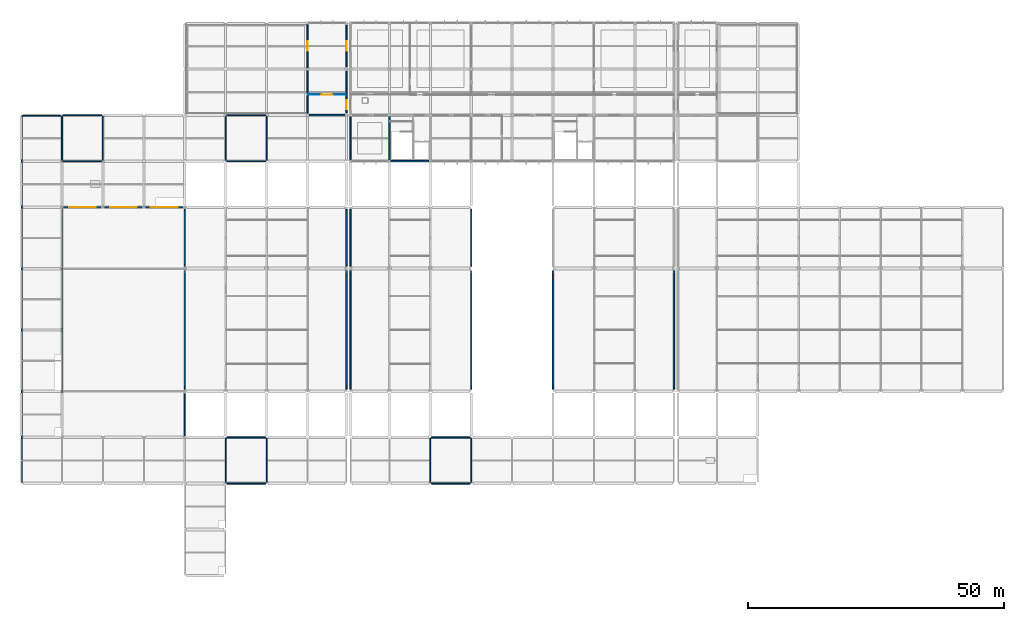
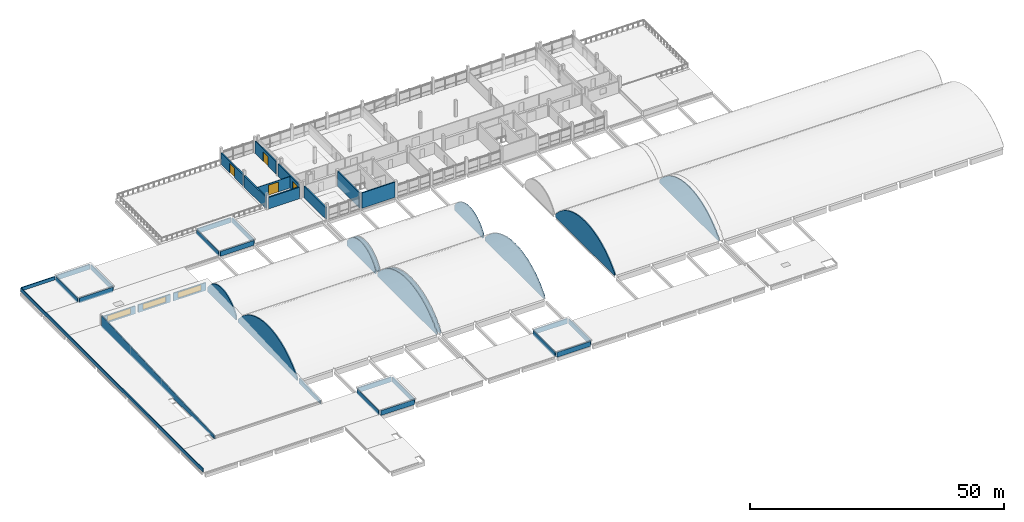
# One storey, part 50 of 57: 42 walls, 4 doors, 3 windows, 7 openings.
"""IFC4 building model written with IfcOpenShell, lengths in metres."""

import ifcopenshell
import ifcopenshell.guid

model = None  # the IFC model being written
_history = None  # IfcOwnerHistory: only IFC2X3 demands one
_inside = {}  # id of a spatial element -> (the spatial element, [elements in it])
_under = {}  # id of a project, library or spatial element -> (it, [spatial elements below it])
_declared = {}  # id of a project -> (the project, [libraries it declares])
_typed = {}  # id of a type object -> (the type object, [elements of that type])
_made_of = {}  # id of a material, layer set ... -> (it, [elements and type objects made of it])


def new_model(schema):
    """Start an empty IFC model of exactly this schema.

    Asked for "IFC4X3", IfcOpenShell would pick the latest addendum, in which some entities
    have other attributes; the version numbers below select the first issue.
    IFC2X3 requires an IfcOwnerHistory on every rooted entity: one is made here for all.
    """
    global model, _history
    if schema == "IFC4X3":
        model = ifcopenshell.file(schema_version=(4, 3, 0, 0))
    else:
        model = ifcopenshell.file(schema=schema)
    _inside.clear()
    _under.clear()
    _declared.clear()
    _typed.clear()
    _made_of.clear()
    _history = None
    if model.schema == "IFC2X3":
        org = make("IfcOrganization", Name="unknown")
        user = make(
            "IfcPersonAndOrganization",
            ThePerson=make("IfcPerson", FamilyName="unknown"),
            TheOrganization=org,
        )
        app = make(
            "IfcApplication",
            ApplicationDeveloper=org,
            Version="unknown",
            ApplicationFullName="unknown",
            ApplicationIdentifier="unknown",
        )
        _history = make(
            "IfcOwnerHistory",
            OwningUser=user,
            OwningApplication=app,
            ChangeAction="ADDED",
            CreationDate=0,
        )
    return model


def make(cls, **values):
    """One entity of the class cls with the attributes given. An attribute that is None is left unset."""
    return model.create_entity(
        cls, **{name: value for name, value in values.items() if value is not None}
    )


def rooted(cls, **values):
    """An entity with a GlobalId (a new one), such as an element, a storey or a relation."""
    return make(cls, GlobalId=ifcopenshell.guid.new(), OwnerHistory=_history, **values)


def si_unit(unit_type, name, prefix=None):
    """IfcSIUnit, for example si_unit("LENGTHUNIT", "METRE", prefix="MILLI")."""
    return make("IfcSIUnit", UnitType=unit_type, Prefix=prefix, Name=name)


def assignment(units):
    """IfcUnitAssignment: the units of a project."""
    return None if units is None else make("IfcUnitAssignment", Units=units)


def point(xyz):
    """IfcCartesianPoint."""
    return None if xyz is None else make("IfcCartesianPoint", Coordinates=xyz)


def direction(xyz):
    """IfcDirection."""
    return None if xyz is None else make("IfcDirection", DirectionRatios=xyz)


def frame(location, z_axis=None, x_axis=None):
    """IfcAxis2Placement3D, a coordinate frame: its origin and axes. An axis left out is left unset."""
    return make(
        "IfcAxis2Placement3D",
        Location=point(location),
        Axis=direction(z_axis),
        RefDirection=direction(x_axis),
    )


def frame_2d(location, x_axis=None):
    """IfcAxis2Placement2D, a coordinate frame in the plane: its origin and x axis."""
    return make(
        "IfcAxis2Placement2D", Location=point(location), RefDirection=direction(x_axis)
    )


def origin():
    """The frame at (0, 0, 0) with its axes left unset."""
    return frame((0.0, 0.0, 0.0))


def place(relative_to, where):
    """IfcLocalPlacement: puts the frame where relative to a parent placement (None: the world)."""
    return make(
        "IfcLocalPlacement", PlacementRelTo=relative_to, RelativePlacement=where
    )


def context(
    kind, dimensions, precision=None, world=None, true_north=None, identifier=None
):
    """IfcGeometricRepresentationContext, for example the 3D "Model" context."""
    return make(
        "IfcGeometricRepresentationContext",
        ContextIdentifier=identifier,
        ContextType=kind,
        CoordinateSpaceDimension=dimensions,
        Precision=precision,
        WorldCoordinateSystem=world,
        TrueNorth=true_north,
    )


def subcontext(parent, identifier, kind, view, scale=None):
    """IfcGeometricRepresentationSubContext, for example "Body" below "Model"."""
    return make(
        "IfcGeometricRepresentationSubContext",
        ContextIdentifier=identifier,
        ContextType=kind,
        ParentContext=parent,
        TargetScale=scale,
        TargetView=view,
    )


def project(units=None, contexts=None):
    """IfcProject with its units and contexts."""
    return rooted(
        "IfcProject",
        Name="project",
        RepresentationContexts=contexts,
        UnitsInContext=assignment(units),
    )


def spatial(cls, under=None, at=None, **own):
    """A site, building, storey or space (cls), placed at a placement, below another one or the project."""
    s = rooted(cls, ObjectPlacement=at, **own)
    if under is not None:
        _under.setdefault(under.id(), (under, []))[1].append(s)
    return s


def polyline(points):
    """IfcPolyline through the points."""
    return make("IfcPolyline", Points=[point(p) for p in points])


def profile(cls, at=None, kind="AREA", **sizes):
    """A parametric profile (cls). Its sizes go by their IFC names, for example OverallWidth=200.0."""
    return make(cls, ProfileType=kind, Position=at, **sizes)


def rectangle(**sizes):
    """IfcRectangleProfileDef."""
    return profile("IfcRectangleProfileDef", **sizes)


def outline(outer, holes=None, kind="AREA"):
    """IfcArbitraryClosedProfileDef: a profile drawn as a closed curve; with holes, ...WithVoids."""
    if holes is None:
        return make("IfcArbitraryClosedProfileDef", ProfileType=kind, OuterCurve=outer)
    return make(
        "IfcArbitraryProfileDefWithVoids",
        ProfileType=kind,
        OuterCurve=outer,
        InnerCurves=holes,
    )


def extrude(swept, where, along, depth):
    """IfcExtrudedAreaSolid: the profile swept, set in the frame where, extruded along a direction by depth."""
    return make(
        "IfcExtrudedAreaSolid",
        SweptArea=swept,
        Position=where,
        ExtrudedDirection=direction(along),
        Depth=depth,
    )


def shape(context_of_items, identifier, shape_type, items):
    """IfcShapeRepresentation: the items that make up one representation, for example the "Body"."""
    return make(
        "IfcShapeRepresentation",
        ContextOfItems=context_of_items,
        RepresentationIdentifier=identifier,
        RepresentationType=shape_type,
        Items=items,
    )


def material(Name=None, Category=None):
    """IfcMaterial."""
    return make("IfcMaterial", Name=Name, Category=Category)


def layer(
    of_material, thickness, ventilated=None, Name=None, Category=None, Priority=None
):
    """IfcMaterialLayer: one layer of a wall or slab, of a material (None: an air gap)."""
    return make(
        "IfcMaterialLayer",
        Material=of_material,
        LayerThickness=thickness,
        IsVentilated=ventilated,
        Name=Name,
        Category=Category,
        Priority=Priority,
    )


def layer_set(layers, Name=None):
    """IfcMaterialLayerSet."""
    return make("IfcMaterialLayerSet", MaterialLayers=layers, LayerSetName=Name)


def made_of(thing, what):
    """Note that an element or type object is made of a material, layer set ...; save() writes the relation."""
    if what is not None:
        _made_of.setdefault(what.id(), (what, []))[1].append(thing)
    return thing


def type_object(cls, material=None, **own):
    """A type object (cls), such as IfcWallType, which elements share."""
    return made_of(rooted(cls, **own), material)


def element(
    cls,
    number,
    at=None,
    inside=None,
    cuts=None,
    type_object=None,
    material=None,
    context=None,
    identifier="Body",
    shape_type=None,
    held_by="IfcProductDefinitionShape",
    body=None,
    shapes=None,
    **own,
):
    """One element of the class cls, such as IfcWall. Its Tag is "e" and its number.

    at: its placement. inside: the storey or other place that contains it. cuts: it is an
    opening in that element (IfcRelVoidsElement). A single representation is given by context,
    identifier, shape_type and body (its items); several are given by shapes. held_by: the class
    of the entity that holds the representations. save() writes the other relations.
    """
    e = rooted(cls, Tag="e%d" % number, ObjectPlacement=at, **own)
    if body is not None:
        shapes = [shape(context, identifier, shape_type, body)]
    if shapes is not None:
        e.Representation = make(held_by, Representations=shapes)
    if inside is not None:
        _inside.setdefault(inside.id(), (inside, []))[1].append(e)
    if cuts is not None:
        rooted(
            "IfcRelVoidsElement", RelatingBuildingElement=cuts, RelatedOpeningElement=e
        )
    if type_object is not None:
        _typed.setdefault(type_object.id(), (type_object, []))[1].append(e)
    return made_of(e, material)


def fill(opening, filler):
    """IfcRelFillsElement: the door or window that sits in an opening."""
    return rooted(
        "IfcRelFillsElement",
        RelatingOpeningElement=opening,
        RelatedBuildingElement=filler,
    )


def aggregate(whole, parts):
    """IfcRelAggregates: a whole, such as a stair, and the parts it consists of."""
    return rooted("IfcRelAggregates", RelatingObject=whole, RelatedObjects=parts)


def save(model, path):
    """Write the relations noted so far, then the file.

    IfcRelAggregates (storeys below a building ...), IfcRelContainedInSpatialStructure (elements
    in a storey), IfcRelDefinesByType, IfcRelAssociatesMaterial and IfcRelDeclares: one each for
    every whole, place, type object, material and project.
    """
    for whole, parts in _under.values():
        aggregate(whole, parts)
    for where, things in _inside.values():
        rooted(
            "IfcRelContainedInSpatialStructure",
            RelatedElements=things,
            RelatingStructure=where,
        )
    for kind, things in _typed.values():
        rooted("IfcRelDefinesByType", RelatedObjects=things, RelatingType=kind)
    for what, things in _made_of.values():
        rooted("IfcRelAssociatesMaterial", RelatedObjects=things, RelatingMaterial=what)
    for by, libraries in _declared.values():
        rooted("IfcRelDeclares", RelatingContext=by, RelatedDefinitions=libraries)
    model.write(path)


model = new_model("IFC4")

# Units and contexts
model_context = context("Model", 3, precision=1e-05, world=origin(), true_north=direction((0.0, 1.0)))
body_context = subcontext(model_context, "Body", "Model", "MODEL_VIEW")
ifc_project = project(units=[si_unit("LENGTHUNIT", "METRE"), si_unit("AREAUNIT", "SQUARE_METRE"), si_unit("VOLUMEUNIT", "CUBIC_METRE"), si_unit("PLANEANGLEUNIT", "RADIAN"), si_unit("MASSUNIT", "GRAM", prefix="KILO"), si_unit("THERMODYNAMICTEMPERATUREUNIT", "KELVIN"), si_unit("POWERUNIT", "WATT")], contexts=[model_context])

# Site, building, storey
site_placement = place(None, origin())
site = spatial("IfcSite", under=ifc_project, at=site_placement, CompositionType="ELEMENT")
building_placement = place(site_placement, origin())
building = spatial("IfcBuilding", under=site, at=building_placement, Name="Kronsvod Quay Wholesale Market", CompositionType="ELEMENT")
storey_placement = place(building_placement, frame((0.0, 0.0, 13.199951171875)))
storey = spatial("IfcBuildingStorey", under=building, at=storey_placement, Name="L03", CompositionType="ELEMENT", Elevation=13.199951171875)

# Walls
ifc_material_1 = material(Name="Concrete C35/45", Category="concrete")
ifc_layer_1 = layer(ifc_material_1, 0.260009765625)
ifc_layer_set_1 = layer_set([ifc_layer_1], Name="Concrete C35/45")
wall_type_1 = type_object("IfcWallType", Name="Wall_CoreShear260", PredefinedType="SHEAR", material=ifc_layer_set_1)
wall_1_placement = place(storey_placement, frame((72.2451171875, 99.0, 0.0), z_axis=(0.0, 0.0, 1.0), x_axis=(1.0, 0.0, 0.0)))
element("IfcWall", 1, at=wall_1_placement, inside=storey, type_object=wall_type_1, Name="CW-C08-L03-S", PredefinedType="SHEAR", context=body_context, shape_type="SweptSolid", body=[
    extrude(rectangle(XDim=7.509765625, YDim=0.260009765625, at=frame_2d((3.7548828125, 0.0))), origin(), (0.0, 0.0, 1.0), 3.6650390625),
])
wall_2_placement = place(storey_placement, frame((72.0, 99.2451171875, 0.0), z_axis=(0.0, 0.0, 1.0), x_axis=(0.0, 1.0, 0.0)))
element("IfcWall", 2, at=wall_2_placement, inside=storey, type_object=wall_type_1, Name="CW-C08-L03-W", PredefinedType="SHEAR", context=body_context, shape_type="SweptSolid", body=[
    extrude(rectangle(XDim=8.48486328125, YDim=0.260009765625, at=frame_2d((4.242431640625, 0.0))), origin(), (0.0, 0.0, 1.0), 3.6650390625),
])
ifc_material_2 = material(Name="Precast concrete C40/50", Category="concrete")
ifc_layer_2 = layer(ifc_material_2, 0.280029296875)
ifc_layer_set_2 = layer_set([ifc_layer_2], Name="Precast concrete C40/50")
wall_type_2 = type_object("IfcWallType", Name="Wall_ExtPrecast280", PredefinedType="SOLIDWALL", material=ifc_layer_set_2)
wall_3_placement = place(storey_placement, frame((56.27001953125, 108.0, 0.0), z_axis=(0.0, 0.0, 1.0), x_axis=(1.0, 0.0, 0.0)))
element("IfcWall", 3, at=wall_3_placement, inside=storey, type_object=wall_type_2, Name="EW-X-L03-0199", PredefinedType="SOLIDWALL", context=body_context, shape_type="SweptSolid", body=[
    extrude(rectangle(XDim=7.0849609375, YDim=0.280029296875, at=frame_2d((3.54248046875, 0.0))), origin(), (0.0, 0.0, 1.0), 2.75),
])
wall_4_placement = place(storey_placement, frame((56.0, 116.7548828125, 0.0), z_axis=(0.0, 0.0, 1.0), x_axis=(0.0, -1.0, 0.0)))
element("IfcWall", 4, at=wall_4_placement, inside=storey, type_object=wall_type_2, Name="EW-Y-L03-0200", PredefinedType="SOLIDWALL", context=body_context, shape_type="SweptSolid", body=[
    extrude(rectangle(XDim=8.48486328125, YDim=0.280029296875, at=frame_2d((4.242431640625, 0.0))), origin(), (0.0, 0.0, 1.0), 2.75),
])

# Wall, opening, door
wall_5_placement = place(storey_placement, frame((56.0, 125.7548828125, 0.0), z_axis=(0.0, 0.0, 1.0), x_axis=(0.0, -1.0, 0.0)))
wall_5 = element("IfcWall", 5, at=wall_5_placement, inside=storey, type_object=wall_type_2, Name="EW-Y-L03-0201", PredefinedType="SOLIDWALL", context=body_context, shape_type="SweptSolid", body=[
    extrude(rectangle(XDim=8.509765625, YDim=0.280029296875, at=frame_2d((4.2548828125, 0.0))), origin(), (0.0, 0.0, 1.0), 2.75),
])
opening_1_placement = place(wall_5_placement, frame((3.35498046875, 0.0, 0.0)))
opening_1 = element("IfcOpeningElement", 6, at=opening_1_placement, cuts=wall_5, Name="Opening ED-059", PredefinedType="OPENING", context=body_context, shape_type="SweptSolid", body=[
    extrude(rectangle(XDim=1.800048828125, YDim=2.25, at=frame_2d((0.89990234375, 1.125))), frame((0.0, 0.14990234375, 0.0), z_axis=(0.0, -1.0, 0.0), x_axis=(1.0, 0.0, 0.0)), (0.0, 0.0, 1.0), 0.300048828125),
])
ifc_material_3 = material(Name="Thermally broken aluminium and glass", Category="aluminium")
door_type_1 = type_object("IfcDoorType", Name="Door_GardenDouble180x225", OperationType="DOUBLE_DOOR_SINGLE_SWING", PredefinedType="DOOR", material=ifc_material_3)
door_1_placement = place(opening_1_placement, frame((1.800048828125, 0.0, 0.0), z_axis=(0.0, 0.0, 1.0), x_axis=(-1.0, 0.0, 0.0)))
door_1 = element("IfcDoor", 7, at=door_1_placement, inside=storey, type_object=door_type_1, Name="Terrace Access Door ED-059", OperationType="DOUBLE_DOOR_SINGLE_SWING", OverallHeight=2.25, OverallWidth=1.800048828125, PredefinedType="DOOR", context=body_context, shape_type="SweptSolid", body=[
    extrude(rectangle(XDim=1.800048828125, YDim=2.25, at=frame_2d((0.89990234375, 1.125))), frame((0.0, 0.02490234375, 0.0), z_axis=(0.0, -1.0, 0.0), x_axis=(1.0, 0.0, 0.0)), (0.0, 0.0, 1.0), 0.050048828125),
])
fill(opening_1, door_1)

# Wall
wall_6_placement = place(storey_placement, frame((64.39990234375, 107.7548828125, 0.0), z_axis=(0.0, 0.0, 1.0), x_axis=(0.0, -1.0, 0.0)))
element("IfcWall", 8, at=wall_6_placement, inside=storey, type_object=wall_type_2, Name="EW-Y-L03-0204", PredefinedType="SOLIDWALL", context=body_context, shape_type="SweptSolid", body=[
    extrude(rectangle(XDim=8.509765625, YDim=0.280029296875, at=frame_2d((4.2548828125, 0.0))), origin(), (0.0, 0.0, 1.0), 2.75),
])

# Wall, opening, window
wall_7_placement = place(storey_placement, frame((8.35009765625, 90.0, 0.0), z_axis=(0.0, 0.0, 1.0), x_axis=(1.0, 0.0, 0.0)))
wall_7 = element("IfcWall", 9, at=wall_7_placement, inside=storey, type_object=wall_type_2, Name="EW-AUC-CLER-1", PredefinedType="SOLIDWALL", context=body_context, shape_type="SweptSolid", body=[
    extrude(rectangle(XDim=7.2998046875, YDim=0.280029296875, at=frame_2d((3.64990234375, 0.0))), origin(), (0.0, 0.0, 1.0), 1.85400390625),
])
opening_2_placement = place(wall_7_placement, frame((1.050048828125, 0.0, 0.35009765625)))
opening_2 = element("IfcOpeningElement", 10, at=opening_2_placement, cuts=wall_7, Name="Opening WIN-23", PredefinedType="OPENING", context=body_context, shape_type="SweptSolid", body=[
    extrude(rectangle(XDim=5.199951171875, YDim=1.35009765625, at=frame_2d((2.60009765625, 0.675048828125))), frame((0.0, 0.14990234375, 0.0), z_axis=(0.0, -1.0, 0.0), x_axis=(1.0, 0.0, 0.0)), (0.0, 0.0, 1.0), 0.300048828125),
])
ifc_material_4 = material(Name="Thermally broken aluminium and triple low-E glazing", Category="aluminium")
window_type = type_object("IfcWindowType", Name="Win_AuctionClerestory", PartitioningType="TRIPLE_PANEL_HORIZONTAL", PredefinedType="WINDOW", material=ifc_material_4)
window_1_placement = place(opening_2_placement, origin())
window_1 = element("IfcWindow", 11, at=window_1_placement, inside=storey, type_object=window_type, Name="WIN-AUC-CLER-1", OverallHeight=1.35009765625, OverallWidth=5.199951171875, PartitioningType="SINGLE_PANEL", PredefinedType="WINDOW", context=body_context, shape_type="SweptSolid", body=[
    extrude(rectangle(XDim=5.199951171875, YDim=1.35009765625, at=frame_2d((2.60009765625, 0.675048828125))), frame((0.0, 0.030029296875, 0.0), z_axis=(0.0, -1.0, 0.0), x_axis=(1.0, 0.0, 0.0)), (0.0, 0.0, 1.0), 0.06005859375),
])
fill(opening_2, window_1)

wall_8_placement = place(storey_placement, frame((16.35009765625, 90.0, 0.0), z_axis=(0.0, 0.0, 1.0), x_axis=(1.0, 0.0, 0.0)))
wall_8 = element("IfcWall", 12, at=wall_8_placement, inside=storey, type_object=wall_type_2, Name="EW-AUC-CLER-2", PredefinedType="SOLIDWALL", context=body_context, shape_type="SweptSolid", body=[
    extrude(rectangle(XDim=7.2998046875, YDim=0.280029296875, at=frame_2d((3.64990234375, 0.0))), origin(), (0.0, 0.0, 1.0), 1.85400390625),
])
opening_3_placement = place(wall_8_placement, frame((1.050048828125, 0.0, 0.35009765625)))
opening_3 = element("IfcOpeningElement", 13, at=opening_3_placement, cuts=wall_8, Name="Opening WIN-23", PredefinedType="OPENING", context=body_context, shape_type="SweptSolid", body=[
    extrude(rectangle(XDim=5.199951171875, YDim=1.35009765625, at=frame_2d((2.60009765625, 0.675048828125))), frame((0.0, 0.14990234375, 0.0), z_axis=(0.0, -1.0, 0.0), x_axis=(1.0, 0.0, 0.0)), (0.0, 0.0, 1.0), 0.300048828125),
])
window_2_placement = place(opening_3_placement, origin())
window_2 = element("IfcWindow", 14, at=window_2_placement, inside=storey, type_object=window_type, Name="WIN-AUC-CLER-2", OverallHeight=1.35009765625, OverallWidth=5.199951171875, PartitioningType="SINGLE_PANEL", PredefinedType="WINDOW", context=body_context, shape_type="SweptSolid", body=[
    extrude(rectangle(XDim=5.199951171875, YDim=1.35009765625, at=frame_2d((2.60009765625, 0.675048828125))), frame((0.0, 0.030029296875, 0.0), z_axis=(0.0, -1.0, 0.0), x_axis=(1.0, 0.0, 0.0)), (0.0, 0.0, 1.0), 0.06005859375),
])
fill(opening_3, window_2)

wall_9_placement = place(storey_placement, frame((24.35009765625, 90.0, 0.0), z_axis=(0.0, 0.0, 1.0), x_axis=(1.0, 0.0, 0.0)))
wall_9 = element("IfcWall", 15, at=wall_9_placement, inside=storey, type_object=wall_type_2, Name="EW-AUC-CLER-3", PredefinedType="SOLIDWALL", context=body_context, shape_type="SweptSolid", body=[
    extrude(rectangle(XDim=7.2998046875, YDim=0.280029296875, at=frame_2d((3.64990234375, 0.0))), origin(), (0.0, 0.0, 1.0), 1.85400390625),
])
opening_4_placement = place(wall_9_placement, frame((1.050048828125, 0.0, 0.35009765625)))
opening_4 = element("IfcOpeningElement", 16, at=opening_4_placement, cuts=wall_9, Name="Opening WIN-23", PredefinedType="OPENING", context=body_context, shape_type="SweptSolid", body=[
    extrude(rectangle(XDim=5.199951171875, YDim=1.35009765625, at=frame_2d((2.60009765625, 0.675048828125))), frame((0.0, 0.14990234375, 0.0), z_axis=(0.0, -1.0, 0.0), x_axis=(1.0, 0.0, 0.0)), (0.0, 0.0, 1.0), 0.300048828125),
])
window_3_placement = place(opening_4_placement, origin())
window_3 = element("IfcWindow", 17, at=window_3_placement, inside=storey, type_object=window_type, Name="WIN-AUC-CLER-3", OverallHeight=1.35009765625, OverallWidth=5.199951171875, PartitioningType="SINGLE_PANEL", PredefinedType="WINDOW", context=body_context, shape_type="SweptSolid", body=[
    extrude(rectangle(XDim=5.199951171875, YDim=1.35009765625, at=frame_2d((2.60009765625, 0.675048828125))), frame((0.0, 0.030029296875, 0.0), z_axis=(0.0, -1.0, 0.0), x_axis=(1.0, 0.0, 0.0)), (0.0, 0.0, 1.0), 0.06005859375),
])
fill(opening_4, window_3)

# Wall, opening, door
ifc_material_5 = material(Name="Precast concrete C40/50", Category="concrete")
ifc_layer_3 = layer(ifc_material_5, 0.239990234375)
ifc_layer_set_3 = layer_set([ifc_layer_3], Name="Precast concrete C40/50")
wall_type_3 = type_object("IfcWallType", Name="Wall_ExtSpandrel240", PredefinedType="SOLIDWALL", material=ifc_layer_set_3)
wall_10_placement = place(storey_placement, frame((63.60009765625, 108.419921875, 0.0), z_axis=(0.0, 0.0, 1.0), x_axis=(0.0, 1.0, 0.0)))
wall_10 = element("IfcWall", 18, at=wall_10_placement, inside=storey, type_object=wall_type_3, Name="MJWG-L03-636-1080", PredefinedType="SOLIDWALL", context=body_context, shape_type="SweptSolid", body=[
    extrude(rectangle(XDim=8.16015625, YDim=0.239990234375, at=frame_2d((4.080078125, 0.0))), origin(), (0.0, 0.0, 1.0), 3.010009765625),
])
opening_5_placement = place(wall_10_placement, frame((0.699951171875, 0.0, 0.0)))
opening_5 = element("IfcOpeningElement", 19, at=opening_5_placement, cuts=wall_10, Name="Opening D-0390", PredefinedType="OPENING", context=body_context, shape_type="SweptSolid", body=[
    extrude(rectangle(XDim=1.800048828125, YDim=2.300048828125, at=frame_2d((0.89990234375, 1.14990234375))), frame((0.0, 0.1298828125, 0.0), z_axis=(0.0, -1.0, 0.0), x_axis=(1.0, 0.0, 0.0)), (0.0, 0.0, 1.0), 0.260009765625),
])
ifc_material_6 = material(Name="Painted galvanized fire steel", Category="steel")
door_type_2 = type_object("IfcDoorType", Name="Door_FireComp180x230", OperationType="DOUBLE_DOOR_SINGLE_SWING", PredefinedType="DOOR", material=ifc_material_6)
door_2_placement = place(opening_5_placement, origin())
door_2 = element("IfcDoor", 20, at=door_2_placement, inside=storey, type_object=door_type_2, Name="Fire Compartment Door D-0390", OperationType="DOUBLE_DOOR_SINGLE_SWING", OverallHeight=2.300048828125, OverallWidth=1.800048828125, PredefinedType="DOOR", context=body_context, shape_type="SweptSolid", body=[
    extrude(rectangle(XDim=1.800048828125, YDim=2.300048828125, at=frame_2d((0.89990234375, 1.14990234375))), frame((0.0, 0.02490234375, 0.0), z_axis=(0.0, -1.0, 0.0), x_axis=(1.0, 0.0, 0.0)), (0.0, 0.0, 1.0), 0.050048828125),
])
fill(opening_5, door_2)

wall_11_placement = place(storey_placement, frame((63.60009765625, 117.419921875, 0.0), z_axis=(0.0, 0.0, 1.0), x_axis=(0.0, 1.0, 0.0)))
wall_11 = element("IfcWall", 21, at=wall_11_placement, inside=storey, type_object=wall_type_3, Name="MJWG-L03-636-1170", PredefinedType="SOLIDWALL", context=body_context, shape_type="SweptSolid", body=[
    extrude(rectangle(XDim=8.16015625, YDim=0.239990234375, at=frame_2d((4.080078125, 0.0))), origin(), (0.0, 0.0, 1.0), 3.010009765625),
])
opening_6_placement = place(wall_11_placement, frame((3.1298828125, 0.0, 0.0)))
opening_6 = element("IfcOpeningElement", 22, at=opening_6_placement, cuts=wall_11, Name="Opening D-0391", PredefinedType="OPENING", context=body_context, shape_type="SweptSolid", body=[
    extrude(rectangle(XDim=1.89990234375, YDim=2.35009765625, at=frame_2d((0.949951171875, 1.175048828125))), frame((0.0, 0.1298828125, 0.0), z_axis=(0.0, -1.0, 0.0), x_axis=(1.0, 0.0, 0.0)), (0.0, 0.0, 1.0), 0.260009765625),
])
ifc_material_7 = material(Name="Painted galvanized fire steel", Category="steel")
door_type_3 = type_object("IfcDoorType", Name="Door_FireComp190x235", OperationType="DOUBLE_DOOR_SINGLE_SWING", PredefinedType="DOOR", material=ifc_material_7)
door_3_placement = place(opening_6_placement, origin())
door_3 = element("IfcDoor", 23, at=door_3_placement, inside=storey, type_object=door_type_3, Name="Fire Compartment Door D-0391", OperationType="DOUBLE_DOOR_SINGLE_SWING", OverallHeight=2.35009765625, OverallWidth=1.89990234375, PredefinedType="DOOR", context=body_context, shape_type="SweptSolid", body=[
    extrude(rectangle(XDim=1.89990234375, YDim=2.35009765625, at=frame_2d((0.949951171875, 1.175048828125))), frame((0.0, 0.02490234375, 0.0), z_axis=(0.0, -1.0, 0.0), x_axis=(1.0, 0.0, 0.0)), (0.0, 0.0, 1.0), 0.050048828125),
])
fill(opening_6, door_3)

# Walls
ifc_material_8 = material(Name="Precast concrete C40/50", Category="concrete")
ifc_layer_4 = layer(ifc_material_8, 0.260009765625)
ifc_layer_set_4 = layer_set([ifc_layer_4], Name="Precast concrete C40/50")
wall_type_4 = type_object("IfcWallType", Name="Wall_ExtTympanum260", PredefinedType="SOLIDWALL", material=ifc_layer_set_4)
for number, where, z_axis, x_axis, name in (
    (24, (32.0, 54.419921875, -0.25), (0.0, 0.0, 1.0), (0.0, 1.0, 0.0), "TYMP-01"),
    (25, (63.60009765625, 54.419921875, -0.25), (0.0, 0.0, 1.0), (0.0, 1.0, 0.0), "TYMP-02"),
):
    element("IfcWall", number, at=place(storey_placement, frame(where, z_axis=z_axis, x_axis=x_axis)), inside=storey, type_object=wall_type_4, Name=name, PredefinedType="SOLIDWALL", context=body_context, shape_type="SweptSolid", body=[
        extrude(outline(polyline([(0.0, 0.0), (23.16015625, 0.0), (23.159912109375, 0.764404296875), (21.505615234375, 2.476318359375), (19.851318359375, 3.743408203125), (18.197021484375, 4.691650390625), (16.54296875, 5.38525390625), (14.888671875, 5.860595703125), (13.234375, 6.138427734375), (11.580078125, 6.22998046875), (9.92578125, 6.138427734375), (8.271484375, 5.860595703125), (6.6171875, 5.38525390625), (4.962890625, 4.691650390625), (3.30859375, 3.743408203125), (1.654296875, 2.476318359375), (0.0, 0.764404296875), (0.0, 0.0)])), frame((0.0, 0.1298828125, 0.0), z_axis=(0.0, -1.0, 0.0), x_axis=(1.0, 0.0, 0.0)), (0.0, 0.0, 1.0), 0.260009765625),
    ])
for number, where, z_axis, x_axis, name in (
    (26, (32.0, 78.419921875, -0.25), (0.0, 0.0, 1.0), (0.0, 1.0, 0.0), "TYMP-03"),
    (27, (63.60009765625, 78.419921875, -0.25), (0.0, 0.0, 1.0), (0.0, 1.0, 0.0), "TYMP-04"),
):
    element("IfcWall", number, at=place(storey_placement, frame(where, z_axis=z_axis, x_axis=x_axis)), inside=storey, type_object=wall_type_4, Name=name, PredefinedType="SOLIDWALL", context=body_context, shape_type="SweptSolid", body=[
        extrude(outline(polyline([(0.0, 0.0), (11.16015625, 0.0), (11.159912109375, 1.063720703125), (10.36279296875, 2.131591796875), (9.565673828125, 2.86474609375), (8.7685546875, 3.394287109375), (7.971435546875, 3.774169921875), (7.17431640625, 4.031494140625), (6.377197265625, 4.180908203125), (5.580078125, 4.22998046875), (4.782958984375, 4.180908203125), (3.985595703125, 4.031494140625), (3.188720703125, 3.774169921875), (2.391357421875, 3.394287109375), (1.59423828125, 2.86474609375), (0.797119140625, 2.131591796875), (0.0, 1.063720703125), (0.0, 0.0)])), frame((0.0, 0.1298828125, 0.0), z_axis=(0.0, -1.0, 0.0), x_axis=(1.0, 0.0, 0.0)), (0.0, 0.0, 1.0), 0.260009765625),
    ])
for number, where, z_axis, x_axis, name in (
    (28, (64.39990234375, 54.419921875, -0.25), (0.0, 0.0, 1.0), (0.0, 1.0, 0.0), "TYMP-05"),
    (29, (88.0, 54.419921875, -0.25), (0.0, 0.0, 1.0), (0.0, 1.0, 0.0), "TYMP-06"),
):
    element("IfcWall", number, at=place(storey_placement, frame(where, z_axis=z_axis, x_axis=x_axis)), inside=storey, type_object=wall_type_4, Name=name, PredefinedType="SOLIDWALL", context=body_context, shape_type="SweptSolid", body=[
        extrude(outline(polyline([(0.0, 0.0), (23.16015625, 0.0), (23.159912109375, 0.764404296875), (21.505615234375, 2.476318359375), (19.851318359375, 3.743408203125), (18.197021484375, 4.691650390625), (16.54296875, 5.38525390625), (14.888671875, 5.860595703125), (13.234375, 6.138427734375), (11.580078125, 6.22998046875), (9.92578125, 6.138427734375), (8.271484375, 5.860595703125), (6.6171875, 5.38525390625), (4.962890625, 4.691650390625), (3.30859375, 3.743408203125), (1.654296875, 2.476318359375), (0.0, 0.764404296875), (0.0, 0.0)])), frame((0.0, 0.1298828125, 0.0), z_axis=(0.0, -1.0, 0.0), x_axis=(1.0, 0.0, 0.0)), (0.0, 0.0, 1.0), 0.260009765625),
    ])
for number, where, z_axis, x_axis, name in (
    (30, (64.39990234375, 78.419921875, -0.25), (0.0, 0.0, 1.0), (0.0, 1.0, 0.0), "TYMP-07"),
    (31, (88.0, 78.419921875, -0.25), (0.0, 0.0, 1.0), (0.0, 1.0, 0.0), "TYMP-08"),
):
    element("IfcWall", number, at=place(storey_placement, frame(where, z_axis=z_axis, x_axis=x_axis)), inside=storey, type_object=wall_type_4, Name=name, PredefinedType="SOLIDWALL", context=body_context, shape_type="SweptSolid", body=[
        extrude(outline(polyline([(0.0, 0.0), (11.16015625, 0.0), (11.159912109375, 1.063720703125), (10.36279296875, 2.131591796875), (9.565673828125, 2.86474609375), (8.7685546875, 3.394287109375), (7.971435546875, 3.774169921875), (7.17431640625, 4.031494140625), (6.377197265625, 4.180908203125), (5.580078125, 4.22998046875), (4.782958984375, 4.180908203125), (3.985595703125, 4.031494140625), (3.188720703125, 3.774169921875), (2.391357421875, 3.394287109375), (1.59423828125, 2.86474609375), (0.797119140625, 2.131591796875), (0.0, 1.063720703125), (0.0, 0.0)])), frame((0.0, 0.1298828125, 0.0), z_axis=(0.0, -1.0, 0.0), x_axis=(1.0, 0.0, 0.0)), (0.0, 0.0, 1.0), 0.260009765625),
    ])
for number, where, z_axis, x_axis, name in (
    (32, (104.0, 54.419921875, -0.25), (0.0, 0.0, 1.0), (0.0, 1.0, 0.0), "TYMP-09"),
    (33, (127.60009765625, 54.419921875, -0.25), (0.0, 0.0, 1.0), (0.0, 1.0, 0.0), "TYMP-10"),
):
    element("IfcWall", number, at=place(storey_placement, frame(where, z_axis=z_axis, x_axis=x_axis)), inside=storey, type_object=wall_type_4, Name=name, PredefinedType="SOLIDWALL", context=body_context, shape_type="SweptSolid", body=[
        extrude(outline(polyline([(0.0, 0.0), (23.16015625, 0.0), (23.159912109375, 0.737060546875), (21.505615234375, 2.3779296875), (19.851318359375, 3.60400390625), (18.197021484375, 4.526611328125), (16.54296875, 5.20361328125), (14.888671875, 5.66845703125), (13.234375, 5.9404296875), (11.580078125, 6.030029296875), (9.92578125, 5.9404296875), (8.271484375, 5.66845703125), (6.6171875, 5.20361328125), (4.962890625, 4.526611328125), (3.30859375, 3.60400390625), (1.654296875, 2.3779296875), (0.0, 0.737060546875), (0.0, 0.0)])), frame((0.0, 0.1298828125, 0.0), z_axis=(0.0, -1.0, 0.0), x_axis=(1.0, 0.0, 0.0)), (0.0, 0.0, 1.0), 0.260009765625),
    ])
wall_12_placement = place(storey_placement, frame((8.0, 45.35009765625, -0.320068359375), z_axis=(0.0, 0.0, 1.0), x_axis=(0.0, 1.0, 0.0)))
element("IfcWall", 34, at=wall_12_placement, inside=storey, type_object=wall_type_4, Name="TYMP-AUC-W", PredefinedType="SOLIDWALL", context=body_context, shape_type="SweptSolid", body=[
    extrude(outline(polyline([(0.0, 0.0), (44.2998046875, 0.0), (44.300048828125, 2.760009765625), (0.0, 0.800048828125), (0.0, 0.0)])), frame((0.0, 0.1298828125, 0.0), z_axis=(0.0, -1.0, 0.0), x_axis=(1.0, 0.0, 0.0)), (0.0, 0.0, 1.0), 0.260009765625),
])
wall_13_placement = place(storey_placement, frame((32.0, 45.35009765625, -0.320068359375), z_axis=(0.0, 0.0, 1.0), x_axis=(0.0, 1.0, 0.0)))
element("IfcWall", 35, at=wall_13_placement, inside=storey, type_object=wall_type_4, Name="TYMP-AUC-E", PredefinedType="SOLIDWALL", context=body_context, shape_type="SweptSolid", body=[
    extrude(outline(polyline([(0.0, 0.0), (8.199951171875, 0.0), (8.199951171875, 1.170166015625), (0.0, 0.800048828125), (0.0, 0.0)])), frame((0.0, 0.1298828125, 0.0), z_axis=(0.0, -1.0, 0.0), x_axis=(1.0, 0.0, 0.0)), (0.0, 0.0, 1.0), 0.260009765625),
])
ifc_material_9 = material(Name="Concrete C35/45", Category="concrete")
ifc_layer_5 = layer(ifc_material_9, 0.22509765625)
ifc_layer_set_5 = layer_set([ifc_layer_5], Name="Concrete C35/45")
wall_type_5 = type_object("IfcWallType", Name="Wall_OverrunWall225", PredefinedType="SHEAR", material=ifc_layer_set_5)
for number, where, z_axis, x_axis, name in (
    (36, (8.199951171875, 99.0, -0.300048828125), (0.0, 0.0, 1.0), (1.0, 0.0, 0.0), "OW-C02-S"),
    (37, (8.199951171875, 108.0, -0.300048828125), (0.0, 0.0, 1.0), (1.0, 0.0, 0.0), "OW-C02-N"),
):
    element("IfcWall", number, at=place(storey_placement, frame(where, z_axis=z_axis, x_axis=x_axis)), inside=storey, type_object=wall_type_5, Name=name, PredefinedType="SHEAR", context=body_context, shape_type="SweptSolid", body=[
        extrude(rectangle(XDim=7.60009765625, YDim=0.22509765625, at=frame_2d((3.800048828125, 0.0))), origin(), (0.0, 0.0, 1.0), 1.1650390625),
    ])
for number, where, z_axis, x_axis, name in (
    (38, (8.0, 99.199951171875, -0.300048828125), (0.0, 0.0, 1.0), (0.0, 1.0, 0.0), "OW-C02-W"),
    (39, (16.0, 99.199951171875, -0.300048828125), (0.0, 0.0, 1.0), (0.0, 1.0, 0.0), "OW-C02-E"),
):
    element("IfcWall", number, at=place(storey_placement, frame(where, z_axis=z_axis, x_axis=x_axis)), inside=storey, type_object=wall_type_5, Name=name, PredefinedType="SHEAR", context=body_context, shape_type="SweptSolid", body=[
        extrude(rectangle(XDim=8.60009765625, YDim=0.22509765625, at=frame_2d((4.300048828125, 0.0))), origin(), (0.0, 0.0, 1.0), 1.1650390625),
    ])
for number, where, z_axis, x_axis, name in (
    (40, (40.199951171875, 36.0, -0.300048828125), (0.0, 0.0, 1.0), (1.0, 0.0, 0.0), "OW-C03-S"),
    (41, (40.199951171875, 45.0, -0.300048828125), (0.0, 0.0, 1.0), (1.0, 0.0, 0.0), "OW-C03-N"),
):
    element("IfcWall", number, at=place(storey_placement, frame(where, z_axis=z_axis, x_axis=x_axis)), inside=storey, type_object=wall_type_5, Name=name, PredefinedType="SHEAR", context=body_context, shape_type="SweptSolid", body=[
        extrude(rectangle(XDim=7.60009765625, YDim=0.22509765625, at=frame_2d((3.800048828125, 0.0))), origin(), (0.0, 0.0, 1.0), 1.1650390625),
    ])
for number, where, z_axis, x_axis, name in (
    (42, (40.0, 36.199951171875, -0.300048828125), (0.0, 0.0, 1.0), (0.0, 1.0, 0.0), "OW-C03-W"),
    (43, (48.0, 36.199951171875, -0.300048828125), (0.0, 0.0, 1.0), (0.0, 1.0, 0.0), "OW-C03-E"),
):
    element("IfcWall", number, at=place(storey_placement, frame(where, z_axis=z_axis, x_axis=x_axis)), inside=storey, type_object=wall_type_5, Name=name, PredefinedType="SHEAR", context=body_context, shape_type="SweptSolid", body=[
        extrude(rectangle(XDim=8.60009765625, YDim=0.22509765625, at=frame_2d((4.300048828125, 0.0))), origin(), (0.0, 0.0, 1.0), 1.1650390625),
    ])
for number, where, z_axis, x_axis, name in (
    (44, (80.199951171875, 36.0, -0.300048828125), (0.0, 0.0, 1.0), (1.0, 0.0, 0.0), "OW-C04-S"),
    (45, (80.199951171875, 45.0, -0.300048828125), (0.0, 0.0, 1.0), (1.0, 0.0, 0.0), "OW-C04-N"),
):
    element("IfcWall", number, at=place(storey_placement, frame(where, z_axis=z_axis, x_axis=x_axis)), inside=storey, type_object=wall_type_5, Name=name, PredefinedType="SHEAR", context=body_context, shape_type="SweptSolid", body=[
        extrude(rectangle(XDim=7.60009765625, YDim=0.22509765625, at=frame_2d((3.800048828125, 0.0))), origin(), (0.0, 0.0, 1.0), 1.1650390625),
    ])
for number, where, z_axis, x_axis, name in (
    (46, (80.0, 36.199951171875, -0.300048828125), (0.0, 0.0, 1.0), (0.0, 1.0, 0.0), "OW-C04-W"),
    (47, (88.0, 36.199951171875, -0.300048828125), (0.0, 0.0, 1.0), (0.0, 1.0, 0.0), "OW-C04-E"),
):
    element("IfcWall", number, at=place(storey_placement, frame(where, z_axis=z_axis, x_axis=x_axis)), inside=storey, type_object=wall_type_5, Name=name, PredefinedType="SHEAR", context=body_context, shape_type="SweptSolid", body=[
        extrude(rectangle(XDim=8.60009765625, YDim=0.22509765625, at=frame_2d((4.300048828125, 0.0))), origin(), (0.0, 0.0, 1.0), 1.1650390625),
    ])
for number, where, z_axis, x_axis, name in (
    (48, (40.199951171875, 99.0, -0.300048828125), (0.0, 0.0, 1.0), (1.0, 0.0, 0.0), "OW-C07-S"),
    (49, (40.199951171875, 108.0, -0.300048828125), (0.0, 0.0, 1.0), (1.0, 0.0, 0.0), "OW-C07-N"),
):
    element("IfcWall", number, at=place(storey_placement, frame(where, z_axis=z_axis, x_axis=x_axis)), inside=storey, type_object=wall_type_5, Name=name, PredefinedType="SHEAR", context=body_context, shape_type="SweptSolid", body=[
        extrude(rectangle(XDim=7.60009765625, YDim=0.22509765625, at=frame_2d((3.800048828125, 0.0))), origin(), (0.0, 0.0, 1.0), 1.1650390625),
    ])
for number, where, z_axis, x_axis, name in (
    (50, (40.0, 99.199951171875, -0.300048828125), (0.0, 0.0, 1.0), (0.0, 1.0, 0.0), "OW-C07-W"),
    (51, (48.0, 99.199951171875, -0.300048828125), (0.0, 0.0, 1.0), (0.0, 1.0, 0.0), "OW-C07-E"),
):
    element("IfcWall", number, at=place(storey_placement, frame(where, z_axis=z_axis, x_axis=x_axis)), inside=storey, type_object=wall_type_5, Name=name, PredefinedType="SHEAR", context=body_context, shape_type="SweptSolid", body=[
        extrude(rectangle(XDim=8.60009765625, YDim=0.22509765625, at=frame_2d((4.300048828125, 0.0))), origin(), (0.0, 0.0, 1.0), 1.1650390625),
    ])
ifc_material_10 = material(Name="Precast concrete C40/50", Category="concrete")
ifc_layer_6 = layer(ifc_material_10, 0.199951171875)
ifc_layer_set_6 = layer_set([ifc_layer_6], Name="Precast concrete C40/50")
wall_type_6 = type_object("IfcWallType", Name="Wall_Parapet200", PredefinedType="PARAPET", material=ifc_layer_set_6)
wall_14_placement = place(storey_placement, frame((0.10009765625, 36.199951171875, 0.0), z_axis=(0.0, 0.0, 1.0), x_axis=(0.0, 1.0, 0.0)))
element("IfcWall", 52, at=wall_14_placement, inside=storey, type_object=wall_type_6, Name="PRP-V3-W", PredefinedType="PARAPET", context=body_context, shape_type="SweptSolid", body=[
    extrude(rectangle(XDim=71.60009765625, YDim=0.199951171875, at=frame_2d((35.800048828125, 0.0))), origin(), (0.0, 0.0, 1.0), 0.800048828125),
])
wall_15_placement = place(storey_placement, frame((0.199951171875, 107.89990234375, 0.0), z_axis=(0.0, 0.0, 1.0), x_axis=(1.0, 0.0, 0.0)))
element("IfcWall", 53, at=wall_15_placement, inside=storey, type_object=wall_type_6, Name="PRP-V3-N", PredefinedType="PARAPET", context=body_context, shape_type="SweptSolid", body=[
    extrude(rectangle(XDim=7.60009765625, YDim=0.199951171875, at=frame_2d((3.800048828125, 0.0))), origin(), (0.0, 0.0, 1.0), 0.800048828125),
])

# Wall, opening, door
ifc_material_11 = material(Name="Double-glazed gallery screen partition", Category="glass")
ifc_layer_7 = layer(ifc_material_11, 0.10791015625)
ifc_layer_set_7 = layer_set([ifc_layer_7], Name="Double-glazed gallery screen partition")
wall_type_7 = type_object("IfcWallType", Name="Wall_PartGlazed108", PredefinedType="PARTITIONING", material=ifc_layer_set_7)
wall_16_placement = place(storey_placement, frame((56.06005859375, 112.0, 0.0), z_axis=(0.0, 0.0, 1.0), x_axis=(1.0, 0.0, 0.0)))
wall_16 = element("IfcWall", 54, at=wall_16_placement, inside=storey, type_object=wall_type_7, Name="PW-L03-0001", PredefinedType="PARTITIONING", context=body_context, shape_type="SweptSolid", body=[
    extrude(rectangle(XDim=7.39990234375, YDim=0.10791015625, at=frame_2d((3.699951171875, 0.0))), origin(), (0.0, 0.0, 1.0), 2.75),
])
opening_7_placement = place(wall_16_placement, frame((2.574951171875, 0.0, 0.0)))
opening_7 = element("IfcOpeningElement", 55, at=opening_7_placement, cuts=wall_16, Name="Opening D-0297", PredefinedType="OPENING", context=body_context, shape_type="SweptSolid", body=[
    extrude(rectangle(XDim=2.25, YDim=2.3798828125, at=frame_2d((1.125, 1.18994140625))), frame((0.0, 0.06396484375, 0.0), z_axis=(0.0, -1.0, 0.0), x_axis=(1.0, 0.0, 0.0)), (0.0, 0.0, 1.0), 0.1279296875),
])
ifc_material_12 = material(Name="Glazed aluminium hall portal", Category="aluminium")
door_type_4 = type_object("IfcDoorType", Name="Door_HallPortal225x238", OperationType="DOUBLE_DOOR_SINGLE_SWING", PredefinedType="DOOR", material=ifc_material_12)
door_4_placement = place(opening_7_placement, origin())
door_4 = element("IfcDoor", 56, at=door_4_placement, inside=storey, type_object=door_type_4, Name="Interior Door D-0297", OperationType="DOUBLE_DOOR_SINGLE_SWING", OverallHeight=2.3798828125, OverallWidth=2.25, PredefinedType="DOOR", context=body_context, shape_type="SweptSolid", body=[
    extrude(rectangle(XDim=2.25, YDim=2.3798828125, at=frame_2d((1.125, 1.18994140625))), frame((0.0, 0.02490234375, 0.0), z_axis=(0.0, -1.0, 0.0), x_axis=(1.0, 0.0, 0.0)), (0.0, 0.0, 1.0), 0.050048828125),
])
fill(opening_7, door_4)

save(model, "model.ifc")
